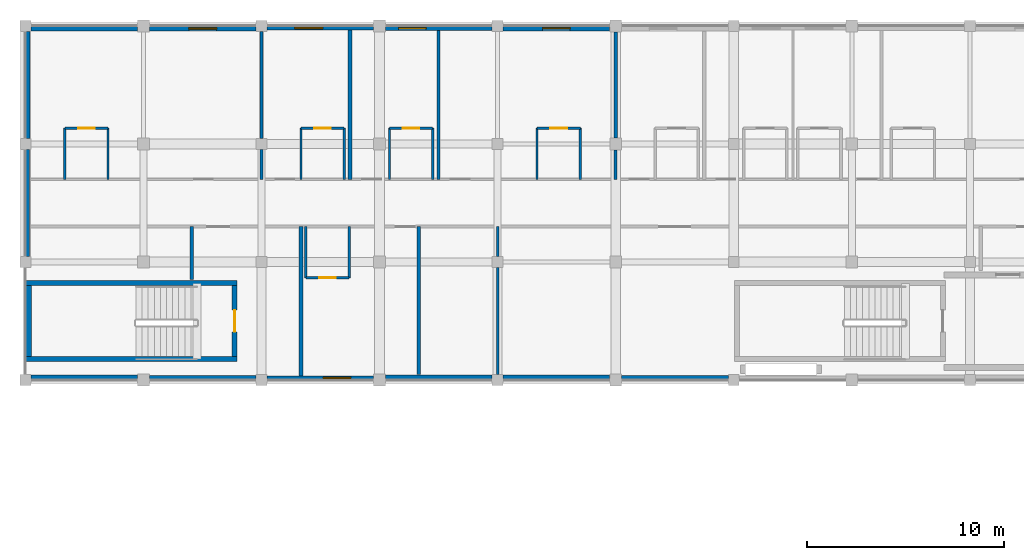
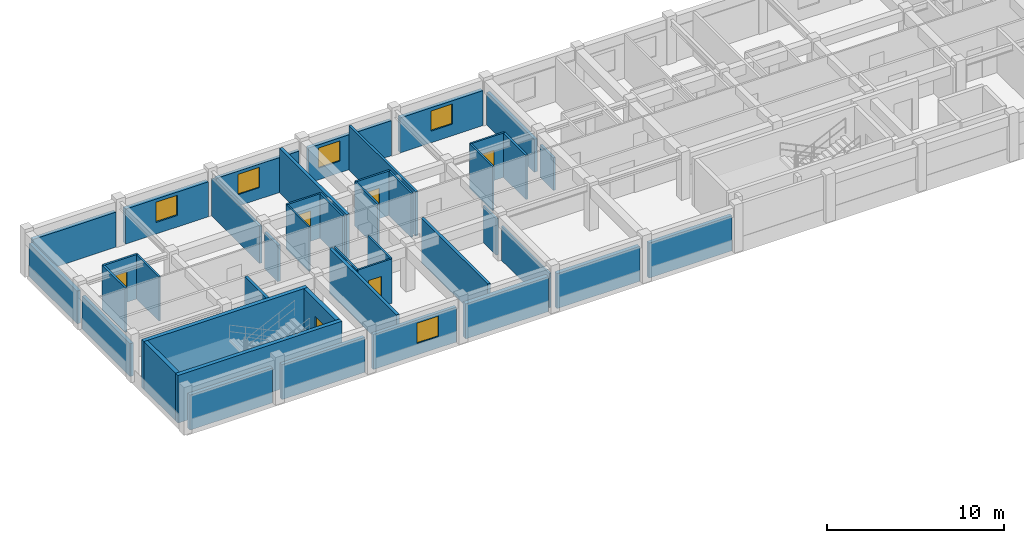
# One storey, part 8 of 21: 43 walls, 6 doors, 5 windows, 11 openings.
"""IFC4 building model written with IfcOpenShell, lengths in metres."""

from ifc_helpers import new_model, si_unit, direction, frame, frame_2d, origin, place, context, subcontext, project, spatial, rectangle, extrude, material, layer, layer_set, type_object, element, fill, save


model = new_model("IFC4")

# Units and contexts
model_context = context("Model", 3, precision=1e-05, world=origin(), true_north=direction((0.0, 1.0)))
body_context = subcontext(model_context, "Body", "Model", "MODEL_VIEW")
ifc_project = project(units=[si_unit("LENGTHUNIT", "METRE"), si_unit("AREAUNIT", "SQUARE_METRE"), si_unit("VOLUMEUNIT", "CUBIC_METRE"), si_unit("PLANEANGLEUNIT", "RADIAN"), si_unit("MASSUNIT", "GRAM", prefix="KILO"), si_unit("THERMODYNAMICTEMPERATUREUNIT", "KELVIN"), si_unit("POWERUNIT", "WATT")], contexts=[model_context])

# Site, building, storey
site_placement = place(None, origin())
site = spatial("IfcSite", under=ifc_project, at=site_placement, CompositionType="ELEMENT")
building_placement = place(site_placement, origin())
building = spatial("IfcBuilding", under=site, at=building_placement, Name="Phaisarnlok Congress Hotel", CompositionType="ELEMENT")
storey_placement = place(building_placement, frame((0.0, 0.0, 31.5)))
storey = spatial("IfcBuildingStorey", under=building, at=storey_placement, Name="L07", CompositionType="ELEMENT", Elevation=31.5)

# Wall, opening, window
ifc_material_1 = material(Name="Concrete C40/50", Category="concrete")
ifc_layer_1 = layer(ifc_material_1, 0.2099609375, Name="Concrete C40/50")
ifc_layer_set_1 = layer_set([ifc_layer_1], Name="Concrete C40/50")
wall_type_1 = type_object("IfcWallType", Name="WL-EXT-210", PredefinedType="SOLIDWALL", material=ifc_layer_set_1)
wall_1_placement = place(storey_placement, frame((83.695068359375, 125.89501953125, 0.0), z_axis=(0.0, 0.0, 1.0), x_axis=(-1.0, 0.0, 0.0)))
wall_1 = element("IfcWall", 1, at=wall_1_placement, inside=storey, type_object=wall_type_1, Name="Exterior wall EW-07 (L07)", PredefinedType="SOLIDWALL", context=body_context, shape_type="SweptSolid", body=[
    extrude(rectangle(XDim=5.4150390625, YDim=0.2099609375, at=frame_2d((2.70751953125, 0.0))), origin(), (0.0, 0.0, 1.0), 2.419921875),
])
opening_1_placement = place(wall_1_placement, frame((2.594970703125, 0.0, 0.800048828125)))
opening_1 = element("IfcOpeningElement", 2, at=opening_1_placement, cuts=wall_1, Name="Opening W-13", PredefinedType="OPENING", context=body_context, shape_type="SweptSolid", body=[
    extrude(rectangle(XDim=1.39990234375, YDim=1.39990234375, at=frame_2d((0.699951171875, 0.699951171875))), frame((0.0, 0.114990234375, 0.0), z_axis=(0.0, -1.0, 0.0), x_axis=(1.0, 0.0, 0.0)), (0.0, 0.0, 1.0), 0.22998046875),
])
ifc_material_2 = material(Name="Thermally Broken Aluminium & Low-E Double Glazing", Category="aluminium")
window_type = type_object("IfcWindowType", Name="WIN-POD-1400", PartitioningType="SINGLE_PANEL", PredefinedType="WINDOW", material=ifc_material_2)
window_1_placement = place(opening_1_placement, origin())
window_1 = element("IfcWindow", 3, at=window_1_placement, inside=storey, type_object=window_type, Name="Guestroom window W-13 (L07)", OverallHeight=1.39990234375, OverallWidth=1.39990234375, PartitioningType="SINGLE_PANEL", PredefinedType="WINDOW", context=body_context, shape_type="SweptSolid", body=[
    extrude(rectangle(XDim=1.39990234375, YDim=1.39990234375, at=frame_2d((0.699951171875, 0.699951171875))), frame((0.0, 0.030029296875, 0.0), z_axis=(0.0, -1.0, 0.0), x_axis=(1.0, 0.0, 0.0)), (0.0, 0.0, 1.0), 0.06005859375),
])
fill(opening_1, window_1)

# Wall
wall_2_placement = place(storey_placement, frame((66.10498046875, 119.719970703125, 0.0), z_axis=(0.0, 0.0, 1.0), x_axis=(0.0, -1.0, 0.0)))
element("IfcWall", 4, at=wall_2_placement, inside=storey, type_object=wall_type_1, Name="Exterior wall EW-07 (L07)", PredefinedType="SOLIDWALL", context=body_context, shape_type="SweptSolid", body=[
    extrude(rectangle(XDim=5.43994140625, YDim=0.2099609375, at=frame_2d((2.719970703125, 0.0))), origin(), (0.0, 0.0, 1.0), 2.27001953125),
])

# Wall, opening, window
wall_3_placement = place(storey_placement, frame((78.280029296875, 108.10498046875, 0.0), z_axis=(0.0, 0.0, 1.0), x_axis=(1.0, 0.0, 0.0)))
wall_3 = element("IfcWall", 5, at=wall_3_placement, inside=storey, type_object=wall_type_1, Name="Exterior wall EW-07 (L07)", PredefinedType="SOLIDWALL", context=body_context, shape_type="SweptSolid", body=[
    extrude(rectangle(XDim=5.4150390625, YDim=0.2099609375, at=frame_2d((2.70751953125, 0.0))), origin(), (0.0, 0.0, 1.0), 2.419921875),
])
opening_2_placement = place(wall_3_placement, frame((2.85791015625, 0.0, 0.800048828125)))
opening_2 = element("IfcOpeningElement", 6, at=opening_2_placement, cuts=wall_3, Name="Opening W-13", PredefinedType="OPENING", context=body_context, shape_type="SweptSolid", body=[
    extrude(rectangle(XDim=1.39990234375, YDim=1.39990234375, at=frame_2d((0.699951171875, 0.699951171875))), frame((0.0, 0.114990234375, 0.0), z_axis=(0.0, -1.0, 0.0), x_axis=(1.0, 0.0, 0.0)), (0.0, 0.0, 1.0), 0.22998046875),
])
window_2_placement = place(opening_2_placement, origin())
window_2 = element("IfcWindow", 7, at=window_2_placement, inside=storey, type_object=window_type, Name="Guestroom window W-13 (L07)", OverallHeight=1.39990234375, OverallWidth=1.39990234375, PartitioningType="SINGLE_PANEL", PredefinedType="WINDOW", context=body_context, shape_type="SweptSolid", body=[
    extrude(rectangle(XDim=1.39990234375, YDim=1.39990234375, at=frame_2d((0.699951171875, 0.699951171875))), frame((0.0, 0.030029296875, 0.0), z_axis=(0.0, -1.0, 0.0), x_axis=(1.0, 0.0, 0.0)), (0.0, 0.0, 1.0), 0.06005859375),
])
fill(opening_2, window_2)

ifc_layer_2 = layer(ifc_material_1, 0.22998046875, Name="Concrete C40/50")
ifc_layer_set_2 = layer_set([ifc_layer_2], Name="Concrete C40/50")
wall_type_2 = type_object("IfcWallType", Name="WL-EXT-230", PredefinedType="SOLIDWALL", material=ifc_layer_set_2)
wall_4_placement = place(storey_placement, frame((89.719970703125, 125.885009765625, 0.0), z_axis=(0.0, 0.0, 1.0), x_axis=(-1.0, 0.0, 0.0)))
wall_4 = element("IfcWall", 8, at=wall_4_placement, inside=storey, type_object=wall_type_2, Name="Exterior wall EW-06 (L07)", PredefinedType="SOLIDWALL", context=body_context, shape_type="SweptSolid", body=[
    extrude(rectangle(XDim=5.4150390625, YDim=0.22998046875, at=frame_2d((2.70751953125, 0.0))), origin(), (0.0, 0.0, 1.0), 2.419921875),
])
opening_3_placement = place(wall_4_placement, frame((3.35791015625, 0.0, 0.800048828125)))
opening_3 = element("IfcOpeningElement", 9, at=opening_3_placement, cuts=wall_4, Name="Opening W-13", PredefinedType="OPENING", context=body_context, shape_type="SweptSolid", body=[
    extrude(rectangle(XDim=1.39990234375, YDim=1.39990234375, at=frame_2d((0.699951171875, 0.699951171875))), frame((0.0, 0.125, 0.0), z_axis=(0.0, -1.0, 0.0), x_axis=(1.0, 0.0, 0.0)), (0.0, 0.0, 1.0), 0.25),
])
window_3_placement = place(opening_3_placement, origin())
window_3 = element("IfcWindow", 10, at=window_3_placement, inside=storey, type_object=window_type, Name="Guestroom window W-13 (L07)", OverallHeight=1.39990234375, OverallWidth=1.39990234375, PartitioningType="SINGLE_PANEL", PredefinedType="WINDOW", context=body_context, shape_type="SweptSolid", body=[
    extrude(rectangle(XDim=1.39990234375, YDim=1.39990234375, at=frame_2d((0.699951171875, 0.699951171875))), frame((0.0, 0.030029296875, 0.0), z_axis=(0.0, -1.0, 0.0), x_axis=(1.0, 0.0, 0.0)), (0.0, 0.0, 1.0), 0.06005859375),
])
fill(opening_3, window_3)

# Walls
wall_5_placement = place(storey_placement, frame((66.114990234375, 125.719970703125, 0.0), z_axis=(0.0, 0.0, 1.0), x_axis=(0.0, -1.0, 0.0)))
element("IfcWall", 11, at=wall_5_placement, inside=storey, type_object=wall_type_2, Name="Exterior wall EW-06 (L07)", PredefinedType="SOLIDWALL", context=body_context, shape_type="SweptSolid", body=[
    extrude(rectangle(XDim=5.43994140625, YDim=0.22998046875, at=frame_2d((2.719970703125, 0.0))), origin(), (0.0, 0.0, 1.0), 2.27001953125),
])
for number, where, z_axis, x_axis, name in (
    (12, (72.304931640625, 108.114990234375, 0.0), (0.0, 0.0, 1.0), (1.0, 0.0, 0.0), "Exterior wall EW-06 (L07)"),
    (13, (96.304931640625, 108.114990234375, 0.0), (0.0, 0.0, 1.0), (1.0, 0.0, 0.0), "Exterior wall EW-06 (L07)"),
):
    element("IfcWall", number, at=place(storey_placement, frame(where, z_axis=z_axis, x_axis=x_axis)), inside=storey, type_object=wall_type_2, Name=name, PredefinedType="SOLIDWALL", context=body_context, shape_type="SweptSolid", body=[
        extrude(rectangle(XDim=5.4150390625, YDim=0.22998046875, at=frame_2d((2.70751953125, 0.0))), origin(), (0.0, 0.0, 1.0), 2.419921875),
    ])

# Wall, opening, window
ifc_layer_3 = layer(ifc_material_1, 0.25, Name="Concrete C40/50")
ifc_layer_set_3 = layer_set([ifc_layer_3], Name="Concrete C40/50")
wall_type_3 = type_object("IfcWallType", Name="WL-EXT-250", PredefinedType="SOLIDWALL", material=ifc_layer_set_3)
wall_6_placement = place(storey_placement, frame((95.695068359375, 125.875, 0.0), z_axis=(0.0, 0.0, 1.0), x_axis=(-1.0, 0.0, 0.0)))
wall_6 = element("IfcWall", 14, at=wall_6_placement, inside=storey, type_object=wall_type_3, Name="Exterior wall EW-05 (L07)", PredefinedType="SOLIDWALL", context=body_context, shape_type="SweptSolid", body=[
    extrude(rectangle(XDim=5.4150390625, YDim=0.25, at=frame_2d((2.70751953125, 0.0))), origin(), (0.0, 0.0, 1.0), 2.419921875),
])
opening_4_placement = place(wall_6_placement, frame((2.007080078125, 0.0, 0.800048828125)))
opening_4 = element("IfcOpeningElement", 15, at=opening_4_placement, cuts=wall_6, Name="Opening W-13", PredefinedType="OPENING", context=body_context, shape_type="SweptSolid", body=[
    extrude(rectangle(XDim=1.39990234375, YDim=1.39990234375, at=frame_2d((0.699951171875, 0.699951171875))), frame((0.0, 0.135009765625, 0.0), z_axis=(0.0, -1.0, 0.0), x_axis=(1.0, 0.0, 0.0)), (0.0, 0.0, 1.0), 0.27001953125),
])
window_4_placement = place(opening_4_placement, origin())
window_4 = element("IfcWindow", 16, at=window_4_placement, inside=storey, type_object=window_type, Name="Guestroom window W-13 (L07)", OverallHeight=1.39990234375, OverallWidth=1.39990234375, PartitioningType="SINGLE_PANEL", PredefinedType="WINDOW", context=body_context, shape_type="SweptSolid", body=[
    extrude(rectangle(XDim=1.39990234375, YDim=1.39990234375, at=frame_2d((0.699951171875, 0.699951171875))), frame((0.0, 0.030029296875, 0.0), z_axis=(0.0, -1.0, 0.0), x_axis=(1.0, 0.0, 0.0)), (0.0, 0.0, 1.0), 0.06005859375),
])
fill(opening_4, window_4)

# Walls
for number, where, z_axis, x_axis, name in (
    (17, (71.695068359375, 125.875, 0.0), (0.0, 0.0, 1.0), (-1.0, 0.0, 0.0), "Exterior wall EW-05 (L07)"),
    (18, (66.280029296875, 108.125, 0.0), (0.0, 0.0, 1.0), (1.0, 0.0, 0.0), "Exterior wall EW-05 (L07)"),
    (19, (90.280029296875, 108.125, 0.0), (0.0, 0.0, 1.0), (1.0, 0.0, 0.0), "Exterior wall EW-05 (L07)"),
):
    element("IfcWall", number, at=place(storey_placement, frame(where, z_axis=z_axis, x_axis=x_axis)), inside=storey, type_object=wall_type_3, Name=name, PredefinedType="SOLIDWALL", context=body_context, shape_type="SweptSolid", body=[
        extrude(rectangle(XDim=5.4150390625, YDim=0.25, at=frame_2d((2.70751953125, 0.0))), origin(), (0.0, 0.0, 1.0), 2.419921875),
    ])

# Wall, opening, window
ifc_layer_4 = layer(ifc_material_1, 0.27001953125, Name="Concrete C40/50")
ifc_layer_set_4 = layer_set([ifc_layer_4], Name="Concrete C40/50")
wall_type_4 = type_object("IfcWallType", Name="WL-EXT-270", PredefinedType="SOLIDWALL", material=ifc_layer_set_4)
wall_7_placement = place(storey_placement, frame((77.719970703125, 125.864990234375, 0.0), z_axis=(0.0, 0.0, 1.0), x_axis=(-1.0, 0.0, 0.0)))
wall_7 = element("IfcWall", 20, at=wall_7_placement, inside=storey, type_object=wall_type_4, Name="Exterior wall EW-04 (L07)", PredefinedType="SOLIDWALL", context=body_context, shape_type="SweptSolid", body=[
    extrude(rectangle(XDim=5.4150390625, YDim=0.27001953125, at=frame_2d((2.70751953125, 0.0))), origin(), (0.0, 0.0, 1.0), 2.419921875),
])
opening_5_placement = place(wall_7_placement, frame((2.007080078125, 0.0, 0.800048828125)))
opening_5 = element("IfcOpeningElement", 21, at=opening_5_placement, cuts=wall_7, Name="Opening W-13", PredefinedType="OPENING", context=body_context, shape_type="SweptSolid", body=[
    extrude(rectangle(XDim=1.39990234375, YDim=1.39990234375, at=frame_2d((0.699951171875, 0.699951171875))), frame((0.0, 0.14501953125, 0.0), z_axis=(0.0, -1.0, 0.0), x_axis=(1.0, 0.0, 0.0)), (0.0, 0.0, 1.0), 0.2900390625),
])
window_5_placement = place(opening_5_placement, origin())
window_5 = element("IfcWindow", 22, at=window_5_placement, inside=storey, type_object=window_type, Name="Guestroom window W-13 (L07)", OverallHeight=1.39990234375, OverallWidth=1.39990234375, PartitioningType="SINGLE_PANEL", PredefinedType="WINDOW", context=body_context, shape_type="SweptSolid", body=[
    extrude(rectangle(XDim=1.39990234375, YDim=1.39990234375, at=frame_2d((0.699951171875, 0.699951171875))), frame((0.0, 0.030029296875, 0.0), z_axis=(0.0, -1.0, 0.0), x_axis=(1.0, 0.0, 0.0)), (0.0, 0.0, 1.0), 0.06005859375),
])
fill(opening_5, window_5)

# Walls
wall_8_placement = place(storey_placement, frame((84.304931640625, 108.135009765625, 0.0), z_axis=(0.0, 0.0, 1.0), x_axis=(1.0, 0.0, 0.0)))
element("IfcWall", 23, at=wall_8_placement, inside=storey, type_object=wall_type_4, Name="Exterior wall EW-04 (L07)", PredefinedType="SOLIDWALL", context=body_context, shape_type="SweptSolid", body=[
    extrude(rectangle(XDim=5.4150390625, YDim=0.27001953125, at=frame_2d((2.70751953125, 0.0))), origin(), (0.0, 0.0, 1.0), 2.419921875),
])
ifc_material_3 = material(Name="Service Riser Shaftwall Partition", Category="gypsum")
ifc_layer_5 = layer(ifc_material_3, 0.10498046875, Name="Service Riser Shaftwall Partition")
ifc_layer_set_5 = layer_set([ifc_layer_5], Name="Service Riser Shaftwall Partition")
wall_type_5 = type_object("IfcWallType", Name="WL-INT-105", PredefinedType="PARTITIONING", material=ifc_layer_set_5)
wall_9_placement = place(storey_placement, frame((80.0, 118.199951171875, 0.0), z_axis=(0.0, 0.0, 1.0), x_axis=(0.0, 1.0, 0.0)))
element("IfcWall", 24, at=wall_9_placement, inside=storey, type_object=wall_type_5, Name="Interior partition wall IW-08 (L07)", PredefinedType="PARTITIONING", context=body_context, shape_type="SweptSolid", body=[
    extrude(rectangle(XDim=2.60009765625, YDim=0.10498046875, at=frame_2d((1.300048828125, 0.0))), origin(), (0.0, 0.0, 1.0), 3.070068359375),
])
ifc_material_4 = material(Name="Lightweight Metal-Stud Gypsum Partition", Category="gypsum")
ifc_layer_6 = layer(ifc_material_4, 0.1201171875, Name="Lightweight Metal-Stud Gypsum Partition")
ifc_layer_set_6 = layer_set([ifc_layer_6], Name="Lightweight Metal-Stud Gypsum Partition")
wall_type_6 = type_object("IfcWallType", Name="WL-INT-120", PredefinedType="PARTITIONING", material=ifc_layer_set_6)
for number, where, z_axis, x_axis, name in (
    (25, (70.199951171875, 118.199951171875, 0.0), (0.0, 0.0, 1.0), (0.0, 1.0, 0.0), "Interior partition wall IW-07 (L07)"),
    (26, (80.25, 113.199951171875, 0.0), (0.0, 0.0, 1.0), (0.0, 1.0, 0.0), "Interior partition wall IW-07 (L07)"),
    (27, (82.449951171875, 113.199951171875, 0.0), (0.0, 0.0, 1.0), (0.0, 1.0, 0.0), "Interior partition wall IW-07 (L07)"),
    (28, (84.5, 118.199951171875, 0.0), (0.0, 0.0, 1.0), (0.0, 1.0, 0.0), "Interior partition wall IW-07 (L07)"),
    (29, (86.699951171875, 118.199951171875, 0.0), (0.0, 0.0, 1.0), (0.0, 1.0, 0.0), "Interior partition wall IW-07 (L07)"),
):
    element("IfcWall", number, at=place(storey_placement, frame(where, z_axis=z_axis, x_axis=x_axis)), inside=storey, type_object=wall_type_6, Name=name, PredefinedType="PARTITIONING", context=body_context, shape_type="SweptSolid", body=[
        extrude(rectangle(XDim=2.60009765625, YDim=0.1201171875, at=frame_2d((1.300048828125, 0.0))), origin(), (0.0, 0.0, 1.0), 3.070068359375),
    ])
wall_10_placement = place(storey_placement, frame((90.0, 108.280029296875, 0.0), z_axis=(0.0, 0.0, 1.0), x_axis=(0.0, 1.0, 0.0)))
element("IfcWall", 30, at=wall_10_placement, inside=storey, type_object=wall_type_6, Name="Interior partition wall IW-07 (L07)", PredefinedType="PARTITIONING", context=body_context, shape_type="SweptSolid", body=[
    extrude(rectangle(XDim=5.43994140625, YDim=0.1201171875, at=frame_2d((2.719970703125, 0.0))), origin(), (0.0, 0.0, 1.0), 2.3701171875),
])
wall_11_placement = place(storey_placement, frame((92.0, 118.199951171875, 0.0), z_axis=(0.0, 0.0, 1.0), x_axis=(0.0, 1.0, 0.0)))
element("IfcWall", 31, at=wall_11_placement, inside=storey, type_object=wall_type_6, Name="Interior partition wall IW-07 (L07)", PredefinedType="PARTITIONING", context=body_context, shape_type="SweptSolid", body=[
    extrude(rectangle(XDim=2.60009765625, YDim=0.1201171875, at=frame_2d((1.300048828125, 0.0))), origin(), (0.0, 0.0, 1.0), 3.070068359375),
])

# Wall, opening, door
wall_12_placement = place(storey_placement, frame((80.25, 113.199951171875, 0.0), z_axis=(0.0, 0.0, 1.0), x_axis=(1.0, 0.0, 0.0)))
wall_12 = element("IfcWall", 32, at=wall_12_placement, inside=storey, type_object=wall_type_6, Name="Interior partition wall IW-07 (L07)", PredefinedType="PARTITIONING", context=body_context, shape_type="SweptSolid", body=[
    extrude(rectangle(XDim=2.199951171875, YDim=0.1201171875, at=frame_2d((1.10009765625, 0.0))), origin(), (0.0, 0.0, 1.0), 3.070068359375),
])
opening_6_placement = place(wall_12_placement, frame((0.675048828125, 0.0, 0.0)))
opening_6 = element("IfcOpeningElement", 33, at=opening_6_placement, cuts=wall_12, Name="Opening D-0355", PredefinedType="OPENING", context=body_context, shape_type="SweptSolid", body=[
    extrude(rectangle(XDim=0.85009765625, YDim=2.10009765625, at=frame_2d((0.425048828125, 1.050048828125))), frame((0.0, 0.070068359375, 0.0), z_axis=(0.0, -1.0, 0.0), x_axis=(1.0, 0.0, 0.0)), (0.0, 0.0, 1.0), 0.14013671875),
])
ifc_material_5 = material(Name="Moisture-Resistant Lacquered Timber", Category="wood")
door_type_1 = type_object("IfcDoorType", Name="DR-BATH-850", OperationType="NOTDEFINED", PredefinedType="DOOR", material=ifc_material_5)
door_1_placement = place(opening_6_placement, origin())
door_1 = element("IfcDoor", 34, at=door_1_placement, inside=storey, type_object=door_type_1, Name="Interior door D-0355 (L07)", OperationType="SINGLE_SWING_LEFT", OverallHeight=2.10009765625, OverallWidth=0.85009765625, PredefinedType="DOOR", context=body_context, shape_type="SweptSolid", body=[
    extrude(rectangle(XDim=0.85009765625, YDim=2.10009765625, at=frame_2d((0.425048828125, 1.050048828125))), frame((0.0, 0.02490234375, 0.0), z_axis=(0.0, -1.0, 0.0), x_axis=(1.0, 0.0, 0.0)), (0.0, 0.0, 1.0), 0.050048828125),
])
fill(opening_6, door_1)

wall_13_placement = place(storey_placement, frame((80.0, 120.800048828125, 0.0), z_axis=(0.0, 0.0, 1.0), x_axis=(1.0, 0.0, 0.0)))
wall_13 = element("IfcWall", 35, at=wall_13_placement, inside=storey, type_object=wall_type_6, Name="Interior partition wall IW-07 (L07)", PredefinedType="PARTITIONING", context=body_context, shape_type="SweptSolid", body=[
    extrude(rectangle(XDim=2.199951171875, YDim=0.1201171875, at=frame_2d((1.10009765625, 0.0))), origin(), (0.0, 0.0, 1.0), 3.070068359375),
])
opening_7_placement = place(wall_13_placement, frame((0.675048828125, 0.0, 0.0)))
opening_7 = element("IfcOpeningElement", 36, at=opening_7_placement, cuts=wall_13, Name="Opening D-0325", PredefinedType="OPENING", context=body_context, shape_type="SweptSolid", body=[
    extrude(rectangle(XDim=0.85009765625, YDim=2.10009765625, at=frame_2d((0.425048828125, 1.050048828125))), frame((0.0, 0.070068359375, 0.0), z_axis=(0.0, -1.0, 0.0), x_axis=(1.0, 0.0, 0.0)), (0.0, 0.0, 1.0), 0.14013671875),
])
door_2_placement = place(opening_7_placement, origin())
door_2 = element("IfcDoor", 37, at=door_2_placement, inside=storey, type_object=door_type_1, Name="Interior door D-0325 (L07)", OperationType="SINGLE_SWING_LEFT", OverallHeight=2.10009765625, OverallWidth=0.85009765625, PredefinedType="DOOR", context=body_context, shape_type="SweptSolid", body=[
    extrude(rectangle(XDim=0.85009765625, YDim=2.10009765625, at=frame_2d((0.425048828125, 1.050048828125))), frame((0.0, 0.02490234375, 0.0), z_axis=(0.0, -1.0, 0.0), x_axis=(1.0, 0.0, 0.0)), (0.0, 0.0, 1.0), 0.050048828125),
])
fill(opening_7, door_2)

wall_14_placement = place(storey_placement, frame((92.0, 120.800048828125, 0.0), z_axis=(0.0, 0.0, 1.0), x_axis=(1.0, 0.0, 0.0)))
wall_14 = element("IfcWall", 38, at=wall_14_placement, inside=storey, type_object=wall_type_6, Name="Interior partition wall IW-07 (L07)", PredefinedType="PARTITIONING", context=body_context, shape_type="SweptSolid", body=[
    extrude(rectangle(XDim=2.199951171875, YDim=0.1201171875, at=frame_2d((1.10009765625, 0.0))), origin(), (0.0, 0.0, 1.0), 3.070068359375),
])
opening_8_placement = place(wall_14_placement, frame((0.675048828125, 0.0, 0.0)))
opening_8 = element("IfcOpeningElement", 39, at=opening_8_placement, cuts=wall_14, Name="Opening D-0329", PredefinedType="OPENING", context=body_context, shape_type="SweptSolid", body=[
    extrude(rectangle(XDim=0.85009765625, YDim=2.10009765625, at=frame_2d((0.425048828125, 1.050048828125))), frame((0.0, 0.070068359375, 0.0), z_axis=(0.0, -1.0, 0.0), x_axis=(1.0, 0.0, 0.0)), (0.0, 0.0, 1.0), 0.14013671875),
])
door_3_placement = place(opening_8_placement, origin())
door_3 = element("IfcDoor", 40, at=door_3_placement, inside=storey, type_object=door_type_1, Name="Interior door D-0329 (L07)", OperationType="SINGLE_SWING_LEFT", OverallHeight=2.10009765625, OverallWidth=0.85009765625, PredefinedType="DOOR", context=body_context, shape_type="SweptSolid", body=[
    extrude(rectangle(XDim=0.85009765625, YDim=2.10009765625, at=frame_2d((0.425048828125, 1.050048828125))), frame((0.0, 0.02490234375, 0.0), z_axis=(0.0, -1.0, 0.0), x_axis=(1.0, 0.0, 0.0)), (0.0, 0.0, 1.0), 0.050048828125),
])
fill(opening_8, door_3)

# Walls
ifc_material_6 = material(Name="Moisture-Resistant Gypsum Partition", Category="gypsum")
ifc_layer_7 = layer(ifc_material_6, 0.135009765625, Name="Moisture-Resistant Gypsum Partition")
ifc_layer_set_7 = layer_set([ifc_layer_7], Name="Moisture-Resistant Gypsum Partition")
wall_type_7 = type_object("IfcWallType", Name="WL-INT-135", PredefinedType="PARTITIONING", material=ifc_layer_set_7)
for number, where, z_axis, x_axis, name in (
    (41, (68.0, 118.199951171875, 0.0), (0.0, 0.0, 1.0), (0.0, 1.0, 0.0), "Interior partition wall IW-06 (L07)"),
    (42, (82.199951171875, 118.199951171875, 0.0), (0.0, 0.0, 1.0), (0.0, 1.0, 0.0), "Interior partition wall IW-06 (L07)"),
):
    element("IfcWall", number, at=place(storey_placement, frame(where, z_axis=z_axis, x_axis=x_axis)), inside=storey, type_object=wall_type_7, Name=name, PredefinedType="PARTITIONING", context=body_context, shape_type="SweptSolid", body=[
        extrude(rectangle(XDim=2.60009765625, YDim=0.135009765625, at=frame_2d((1.300048828125, 0.0))), origin(), (0.0, 0.0, 1.0), 3.070068359375),
    ])
wall_15_placement = place(storey_placement, frame((90.0, 114.280029296875, 0.0), z_axis=(0.0, 0.0, 1.0), x_axis=(0.0, 1.0, 0.0)))
element("IfcWall", 43, at=wall_15_placement, inside=storey, type_object=wall_type_7, Name="Interior partition wall IW-06 (L07)", PredefinedType="PARTITIONING", context=body_context, shape_type="SweptSolid", body=[
    extrude(rectangle(XDim=1.52001953125, YDim=0.135009765625, at=frame_2d((0.760009765625, 0.0))), origin(), (0.0, 0.0, 1.0), 2.52001953125),
])
wall_16_placement = place(storey_placement, frame((94.199951171875, 118.199951171875, 0.0), z_axis=(0.0, 0.0, 1.0), x_axis=(0.0, 1.0, 0.0)))
element("IfcWall", 44, at=wall_16_placement, inside=storey, type_object=wall_type_7, Name="Interior partition wall IW-06 (L07)", PredefinedType="PARTITIONING", context=body_context, shape_type="SweptSolid", body=[
    extrude(rectangle(XDim=2.60009765625, YDim=0.135009765625, at=frame_2d((1.300048828125, 0.0))), origin(), (0.0, 0.0, 1.0), 3.070068359375),
])

# Wall, opening, door
wall_17_placement = place(storey_placement, frame((68.0, 120.800048828125, 0.0), z_axis=(0.0, 0.0, 1.0), x_axis=(1.0, 0.0, 0.0)))
wall_17 = element("IfcWall", 45, at=wall_17_placement, inside=storey, type_object=wall_type_7, Name="Interior partition wall IW-06 (L07)", PredefinedType="PARTITIONING", context=body_context, shape_type="SweptSolid", body=[
    extrude(rectangle(XDim=2.199951171875, YDim=0.135009765625, at=frame_2d((1.10009765625, 0.0))), origin(), (0.0, 0.0, 1.0), 3.070068359375),
])
opening_9_placement = place(wall_17_placement, frame((0.675048828125, 0.0, 0.0)))
opening_9 = element("IfcOpeningElement", 46, at=opening_9_placement, cuts=wall_17, Name="Opening D-0323", PredefinedType="OPENING", context=body_context, shape_type="SweptSolid", body=[
    extrude(rectangle(XDim=0.85009765625, YDim=2.10009765625, at=frame_2d((0.425048828125, 1.050048828125))), frame((0.0, 0.07763671875, 0.0), z_axis=(0.0, -1.0, 0.0), x_axis=(1.0, 0.0, 0.0)), (0.0, 0.0, 1.0), 0.155029296875),
])
door_4_placement = place(opening_9_placement, origin())
door_4 = element("IfcDoor", 47, at=door_4_placement, inside=storey, type_object=door_type_1, Name="Interior door D-0323 (L07)", OperationType="SINGLE_SWING_LEFT", OverallHeight=2.10009765625, OverallWidth=0.85009765625, PredefinedType="DOOR", context=body_context, shape_type="SweptSolid", body=[
    extrude(rectangle(XDim=0.85009765625, YDim=2.10009765625, at=frame_2d((0.425048828125, 1.050048828125))), frame((0.0, 0.02490234375, 0.0), z_axis=(0.0, -1.0, 0.0), x_axis=(1.0, 0.0, 0.0)), (0.0, 0.0, 1.0), 0.050048828125),
])
fill(opening_9, door_4)

wall_18_placement = place(storey_placement, frame((84.5, 120.800048828125, 0.0), z_axis=(0.0, 0.0, 1.0), x_axis=(1.0, 0.0, 0.0)))
wall_18 = element("IfcWall", 48, at=wall_18_placement, inside=storey, type_object=wall_type_7, Name="Interior partition wall IW-06 (L07)", PredefinedType="PARTITIONING", context=body_context, shape_type="SweptSolid", body=[
    extrude(rectangle(XDim=2.199951171875, YDim=0.135009765625, at=frame_2d((1.10009765625, 0.0))), origin(), (0.0, 0.0, 1.0), 3.070068359375),
])
opening_10_placement = place(wall_18_placement, frame((0.675048828125, 0.0, 0.0)))
opening_10 = element("IfcOpeningElement", 49, at=opening_10_placement, cuts=wall_18, Name="Opening D-0327", PredefinedType="OPENING", context=body_context, shape_type="SweptSolid", body=[
    extrude(rectangle(XDim=0.85009765625, YDim=2.10009765625, at=frame_2d((0.425048828125, 1.050048828125))), frame((0.0, 0.07763671875, 0.0), z_axis=(0.0, -1.0, 0.0), x_axis=(1.0, 0.0, 0.0)), (0.0, 0.0, 1.0), 0.155029296875),
])
door_5_placement = place(opening_10_placement, origin())
door_5 = element("IfcDoor", 50, at=door_5_placement, inside=storey, type_object=door_type_1, Name="Interior door D-0327 (L07)", OperationType="SINGLE_SWING_LEFT", OverallHeight=2.10009765625, OverallWidth=0.85009765625, PredefinedType="DOOR", context=body_context, shape_type="SweptSolid", body=[
    extrude(rectangle(XDim=0.85009765625, YDim=2.10009765625, at=frame_2d((0.425048828125, 1.050048828125))), frame((0.0, 0.02490234375, 0.0), z_axis=(0.0, -1.0, 0.0), x_axis=(1.0, 0.0, 0.0)), (0.0, 0.0, 1.0), 0.050048828125),
])
fill(opening_10, door_5)

# Walls
ifc_material_7 = material(Name="Acoustic Gypsum Board & Mineral Wool", Category="gypsum")
ifc_layer_8 = layer(ifc_material_7, 0.14990234375, Name="Acoustic Gypsum Board & Mineral Wool")
ifc_layer_set_8 = layer_set([ifc_layer_8], Name="Acoustic Gypsum Board & Mineral Wool")
wall_type_8 = type_object("IfcWallType", Name="WL-INT-150", PredefinedType="PARTITIONING", material=ifc_layer_set_8)
wall_19_placement = place(storey_placement, frame((78.0, 120.280029296875, 0.0), z_axis=(0.0, 0.0, 1.0), x_axis=(0.0, 1.0, 0.0)))
element("IfcWall", 51, at=wall_19_placement, inside=storey, type_object=wall_type_8, Name="Interior partition wall IW-05 (L07)", PredefinedType="PARTITIONING", context=body_context, shape_type="SweptSolid", body=[
    extrude(rectangle(XDim=5.43994140625, YDim=0.14990234375, at=frame_2d((2.719970703125, 0.0))), origin(), (0.0, 0.0, 1.0), 2.570068359375),
])
wall_20_placement = place(storey_placement, frame((87.0, 118.199951171875, 0.0), z_axis=(0.0, 0.0, 1.0), x_axis=(0.0, 1.0, 0.0)))
element("IfcWall", 52, at=wall_20_placement, inside=storey, type_object=wall_type_8, Name="Interior partition wall IW-05 (L07)", PredefinedType="PARTITIONING", context=body_context, shape_type="SweptSolid", body=[
    extrude(rectangle(XDim=7.56494140625, YDim=0.14990234375, at=frame_2d((3.782470703125, 0.0))), origin(), (0.0, 0.0, 1.0), 3.070068359375),
])
wall_21_placement = place(storey_placement, frame((96.0, 118.199951171875, 0.0), z_axis=(0.0, 0.0, 1.0), x_axis=(0.0, 1.0, 0.0)))
element("IfcWall", 53, at=wall_21_placement, inside=storey, type_object=wall_type_8, Name="Interior partition wall IW-05 (L07)", PredefinedType="PARTITIONING", context=body_context, shape_type="SweptSolid", body=[
    extrude(rectangle(XDim=1.4951171875, YDim=0.14990234375, at=frame_2d((0.74755859375, 0.0))), origin(), (0.0, 0.0, 1.0), 2.27001953125),
])
ifc_material_8 = material(Name="Double-Stud Acoustic Gypsum Partition", Category="gypsum")
ifc_layer_9 = layer(ifc_material_8, 0.159912109375, Name="Double-Stud Acoustic Gypsum Partition")
ifc_layer_set_9 = layer_set([ifc_layer_9], Name="Double-Stud Acoustic Gypsum Partition")
wall_type_9 = type_object("IfcWallType", Name="WL-INT-160", PredefinedType="PARTITIONING", material=ifc_layer_set_9)
wall_22_placement = place(storey_placement, frame((78.0, 118.199951171875, 0.0), z_axis=(0.0, 0.0, 1.0), x_axis=(0.0, 1.0, 0.0)))
element("IfcWall", 54, at=wall_22_placement, inside=storey, type_object=wall_type_9, Name="Interior partition wall IW-04 (L07)", PredefinedType="PARTITIONING", context=body_context, shape_type="SweptSolid", body=[
    extrude(rectangle(XDim=1.52001953125, YDim=0.159912109375, at=frame_2d((0.760009765625, 0.0))), origin(), (0.0, 0.0, 1.0), 2.52001953125),
])
ifc_material_9 = material(Name="Autoclaved Aerated Concrete Block", Category="concrete")
ifc_layer_10 = layer(ifc_material_9, 0.179931640625, Name="Autoclaved Aerated Concrete Block")
ifc_layer_set_10 = layer_set([ifc_layer_10], Name="Autoclaved Aerated Concrete Block")
wall_type_10 = type_object("IfcWallType", Name="WL-INT-180", PredefinedType="PARTITIONING", material=ifc_layer_set_10)
wall_23_placement = place(storey_placement, frame((74.449951171875, 113.1201171875, 0.0), z_axis=(0.0, 0.0, 1.0), x_axis=(0.0, 1.0, 0.0)))
element("IfcWall", 55, at=wall_23_placement, inside=storey, type_object=wall_type_10, Name="Interior partition wall IW-03 (L07)", PredefinedType="PARTITIONING", context=body_context, shape_type="SweptSolid", body=[
    extrude(rectangle(XDim=2.679931640625, YDim=0.179931640625, at=frame_2d((1.33984375, 0.0))), origin(), (0.0, 0.0, 1.0), 3.070068359375),
])
wall_24_placement = place(storey_placement, frame((86.0, 108.27490234375, 0.0), z_axis=(0.0, 0.0, 1.0), x_axis=(0.0, 1.0, 0.0)))
element("IfcWall", 56, at=wall_24_placement, inside=storey, type_object=wall_type_10, Name="Interior partition wall IW-03 (L07)", PredefinedType="PARTITIONING", context=body_context, shape_type="SweptSolid", body=[
    extrude(rectangle(XDim=7.525146484375, YDim=0.179931640625, at=frame_2d((3.7626953125, 0.0))), origin(), (0.0, 0.0, 1.0), 3.070068359375),
])
ifc_layer_11 = layer(ifc_material_9, 0.199951171875, Name="Autoclaved Aerated Concrete Block")
ifc_layer_set_11 = layer_set([ifc_layer_11], Name="Autoclaved Aerated Concrete Block")
wall_type_11 = type_object("IfcWallType", Name="WL-INT-200", PredefinedType="PARTITIONING", material=ifc_layer_set_11)
for number, where, z_axis, x_axis, name in (
    (57, (80.0, 108.215087890625, 0.0), (0.0, 0.0, 1.0), (0.0, 1.0, 0.0), "Interior partition wall IW-02 (L07)"),
    (58, (82.5, 118.199951171875, 0.0), (0.0, 0.0, 1.0), (0.0, 1.0, 0.0), "Interior partition wall IW-02 (L07)"),
):
    element("IfcWall", number, at=place(storey_placement, frame(where, z_axis=z_axis, x_axis=x_axis)), inside=storey, type_object=wall_type_11, Name=name, PredefinedType="PARTITIONING", context=body_context, shape_type="SweptSolid", body=[
        extrude(rectangle(XDim=7.5849609375, YDim=0.199951171875, at=frame_2d((3.79248046875, 0.0))), origin(), (0.0, 0.0, 1.0), 3.070068359375),
    ])
wall_25_placement = place(storey_placement, frame((96.0, 120.304931640625, 0.0), z_axis=(0.0, 0.0, 1.0), x_axis=(0.0, 1.0, 0.0)))
element("IfcWall", 59, at=wall_25_placement, inside=storey, type_object=wall_type_11, Name="Interior partition wall IW-02 (L07)", PredefinedType="PARTITIONING", context=body_context, shape_type="SweptSolid", body=[
    extrude(rectangle(XDim=5.39013671875, YDim=0.199951171875, at=frame_2d((2.695068359375, 0.0))), origin(), (0.0, 0.0, 1.0), 2.27001953125),
])
ifc_material_10 = material(Name="Concrete C50/60", Category="concrete")
ifc_layer_12 = layer(ifc_material_10, 0.260009765625, Name="Concrete C50/60")
ifc_layer_set_12 = layer_set([ifc_layer_12], Name="Concrete C50/60")
wall_type_12 = type_object("IfcWallType", Name="WL-SHR-260", PredefinedType="SHEAR", material=ifc_layer_set_12)
for number, where, z_axis, x_axis, name in (
    (60, (66.0400390625, 109.070068359375, 0.0), (0.0, 0.0, 1.0), (1.0, 0.0, 0.0), "Stair shaft shear wall SW-04 (STAIR-HW L07)"),
    (61, (66.0400390625, 112.929931640625, 0.0), (0.0, 0.0, 1.0), (1.0, 0.0, 0.0), "Stair shaft shear wall SW-04 (STAIR-HW L07)"),
):
    element("IfcWall", number, at=place(storey_placement, frame(where, z_axis=z_axis, x_axis=x_axis)), inside=storey, type_object=wall_type_12, Name=name, PredefinedType="SHEAR", context=body_context, shape_type="SweptSolid", body=[
        extrude(rectangle(XDim=10.719970703125, YDim=0.260009765625, at=frame_2d((5.35986328125, 0.0))), origin(), (0.0, 0.0, 1.0), 3.300048828125),
    ])

# Wall, opening, door
wall_26_placement = place(storey_placement, frame((76.6298828125, 109.199951171875, 0.0), z_axis=(0.0, 0.0, 1.0), x_axis=(0.0, 1.0, 0.0)))
wall_26 = element("IfcWall", 62, at=wall_26_placement, inside=storey, type_object=wall_type_12, Name="Stair shaft shear wall SW-04 (STAIR-HW L07)", PredefinedType="SHEAR", context=body_context, shape_type="SweptSolid", body=[
    extrude(rectangle(XDim=3.60009765625, YDim=0.260009765625, at=frame_2d((1.800048828125, 0.0))), origin(), (0.0, 0.0, 1.0), 3.300048828125),
])
opening_11_placement = place(wall_26_placement, frame((1.25, 0.0, 0.0)))
opening_11 = element("IfcOpeningElement", 63, at=opening_11_placement, cuts=wall_26, Name="Opening FD-153", PredefinedType="OPENING", context=body_context, shape_type="SweptSolid", body=[
    extrude(rectangle(XDim=1.10009765625, YDim=2.14990234375, at=frame_2d((0.550048828125, 1.074951171875))), frame((0.0, 0.14013671875, 0.0), z_axis=(0.0, -1.0, 0.0), x_axis=(1.0, 0.0, 0.0)), (0.0, 0.0, 1.0), 0.280029296875),
])
ifc_material_11 = material(Name="Fire-Rated Steel Frame & Timber Leaf", Category="steel")
door_type_2 = type_object("IfcDoorType", Name="DR-FD60-1100", OperationType="NOTDEFINED", PredefinedType="DOOR", material=ifc_material_11)
door_6_placement = place(opening_11_placement, origin())
door_6 = element("IfcDoor", 64, at=door_6_placement, inside=storey, type_object=door_type_2, Name="Stair enclosure fire door FD-153 (L07)", OperationType="SINGLE_SWING_RIGHT", OverallHeight=2.14990234375, OverallWidth=1.10009765625, PredefinedType="DOOR", context=body_context, shape_type="SweptSolid", body=[
    extrude(rectangle(XDim=1.10009765625, YDim=2.14990234375, at=frame_2d((0.550048828125, 1.074951171875))), frame((0.0, 0.02490234375, 0.0), z_axis=(0.0, -1.0, 0.0), x_axis=(1.0, 0.0, 0.0)), (0.0, 0.0, 1.0), 0.050048828125),
])
fill(opening_11, door_6)

# Wall
ifc_layer_13 = layer(ifc_material_10, 0.260009765625, Name="Concrete C50/60")
ifc_layer_set_13 = layer_set([ifc_layer_13], Name="Concrete C50/60")
wall_type_13 = type_object("IfcWallType", Name="WL-SHR-260-EXT", PredefinedType="SHEAR", material=ifc_layer_set_13)
wall_27_placement = place(storey_placement, frame((66.169921875, 109.199951171875, 0.0), z_axis=(0.0, 0.0, 1.0), x_axis=(0.0, 1.0, 0.0)))
element("IfcWall", 65, at=wall_27_placement, inside=storey, type_object=wall_type_13, Name="Stair shaft shear wall SW-04E (STAIR-HW L07)", PredefinedType="SHEAR", context=body_context, shape_type="SweptSolid", body=[
    extrude(rectangle(XDim=3.60009765625, YDim=0.260009765625, at=frame_2d((1.800048828125, 0.0))), origin(), (0.0, 0.0, 1.0), 3.300048828125),
])

save(model, "model.ifc")
